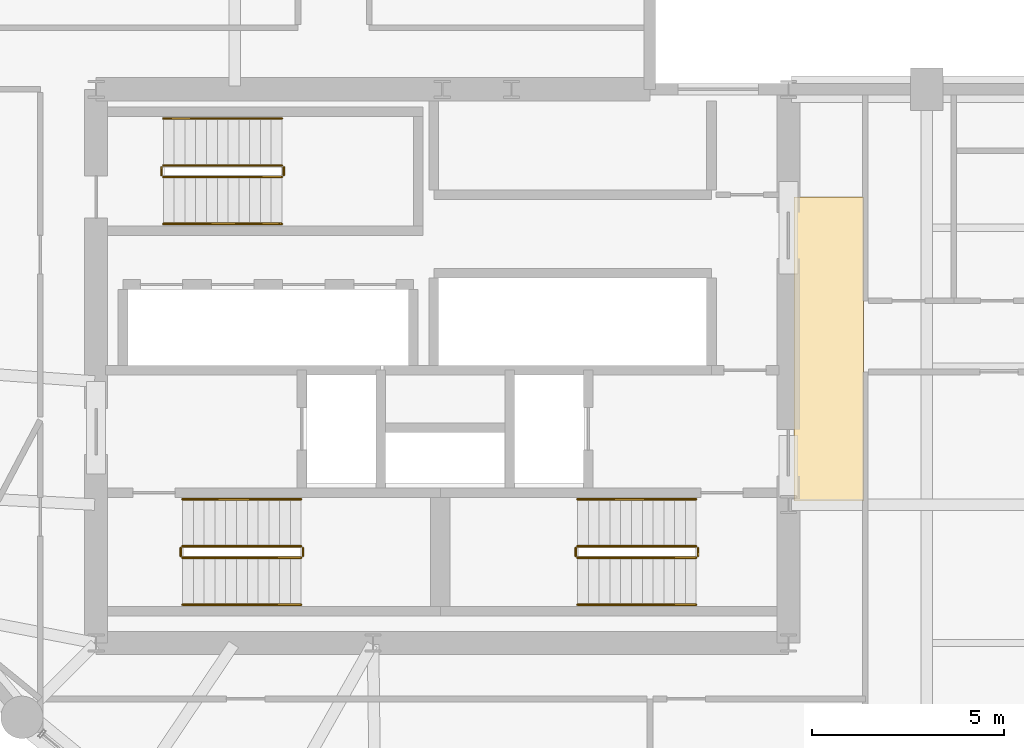
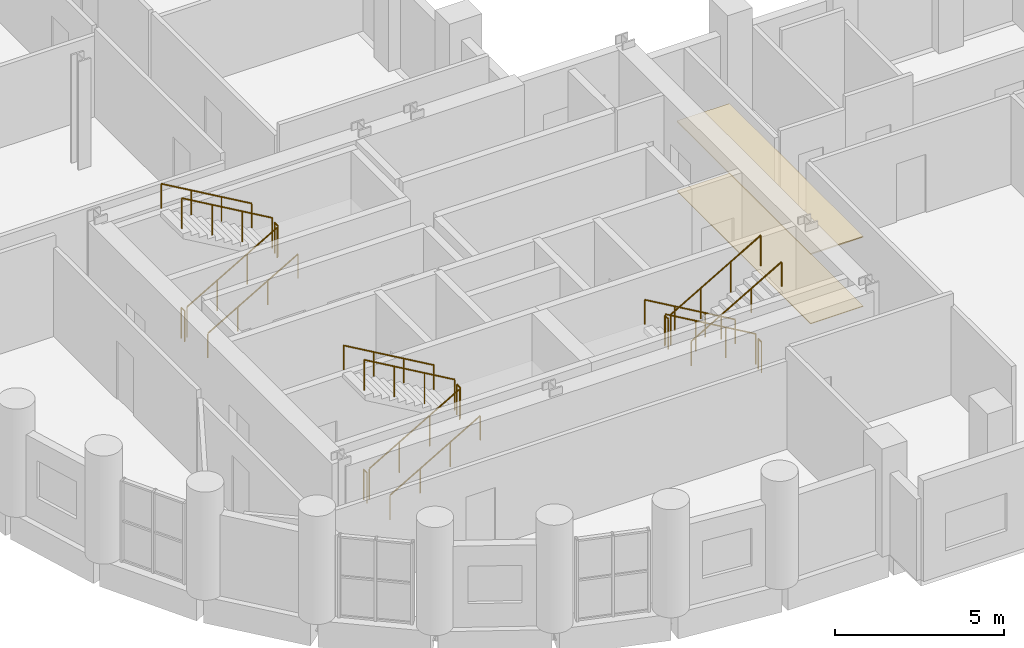
# One storey, part 10 of 11: 18 railings, 2 coverings.
"""IFC4 building model written with IfcOpenShell, lengths in metres."""

import ifcopenshell
import ifcopenshell.guid

model = None  # the IFC model being written
_history = None  # IfcOwnerHistory: only IFC2X3 demands one
_inside = {}  # id of a spatial element -> (the spatial element, [elements in it])
_under = {}  # id of a project, library or spatial element -> (it, [spatial elements below it])
_declared = {}  # id of a project -> (the project, [libraries it declares])
_typed = {}  # id of a type object -> (the type object, [elements of that type])
_made_of = {}  # id of a material, layer set ... -> (it, [elements and type objects made of it])


def new_model(schema):
    """Start an empty IFC model of exactly this schema.

    Asked for "IFC4X3", IfcOpenShell would pick the latest addendum, in which some entities
    have other attributes; the version numbers below select the first issue.
    IFC2X3 requires an IfcOwnerHistory on every rooted entity: one is made here for all.
    """
    global model, _history
    if schema == "IFC4X3":
        model = ifcopenshell.file(schema_version=(4, 3, 0, 0))
    else:
        model = ifcopenshell.file(schema=schema)
    _inside.clear()
    _under.clear()
    _declared.clear()
    _typed.clear()
    _made_of.clear()
    _history = None
    if model.schema == "IFC2X3":
        org = make("IfcOrganization", Name="unknown")
        user = make(
            "IfcPersonAndOrganization",
            ThePerson=make("IfcPerson", FamilyName="unknown"),
            TheOrganization=org,
        )
        app = make(
            "IfcApplication",
            ApplicationDeveloper=org,
            Version="unknown",
            ApplicationFullName="unknown",
            ApplicationIdentifier="unknown",
        )
        _history = make(
            "IfcOwnerHistory",
            OwningUser=user,
            OwningApplication=app,
            ChangeAction="ADDED",
            CreationDate=0,
        )
    return model


def make(cls, **values):
    """One entity of the class cls with the attributes given. An attribute that is None is left unset."""
    return model.create_entity(
        cls, **{name: value for name, value in values.items() if value is not None}
    )


def rooted(cls, **values):
    """An entity with a GlobalId (a new one), such as an element, a storey or a relation."""
    return make(cls, GlobalId=ifcopenshell.guid.new(), OwnerHistory=_history, **values)


def si_unit(unit_type, name, prefix=None):
    """IfcSIUnit, for example si_unit("LENGTHUNIT", "METRE", prefix="MILLI")."""
    return make("IfcSIUnit", UnitType=unit_type, Prefix=prefix, Name=name)


def assignment(units):
    """IfcUnitAssignment: the units of a project."""
    return None if units is None else make("IfcUnitAssignment", Units=units)


def point(xyz):
    """IfcCartesianPoint."""
    return None if xyz is None else make("IfcCartesianPoint", Coordinates=xyz)


def direction(xyz):
    """IfcDirection."""
    return None if xyz is None else make("IfcDirection", DirectionRatios=xyz)


def frame(location, z_axis=None, x_axis=None):
    """IfcAxis2Placement3D, a coordinate frame: its origin and axes. An axis left out is left unset."""
    return make(
        "IfcAxis2Placement3D",
        Location=point(location),
        Axis=direction(z_axis),
        RefDirection=direction(x_axis),
    )


def frame_2d(location, x_axis=None):
    """IfcAxis2Placement2D, a coordinate frame in the plane: its origin and x axis."""
    return make(
        "IfcAxis2Placement2D", Location=point(location), RefDirection=direction(x_axis)
    )


def origin():
    """The frame at (0, 0, 0) with its axes left unset."""
    return frame((0.0, 0.0, 0.0))


def origin_2d():
    """The frame at (0, 0) in the plane with its x axis left unset."""
    return frame_2d((0.0, 0.0))


def place(relative_to, where):
    """IfcLocalPlacement: puts the frame where relative to a parent placement (None: the world)."""
    return make(
        "IfcLocalPlacement", PlacementRelTo=relative_to, RelativePlacement=where
    )


def context(
    kind, dimensions, precision=None, world=None, true_north=None, identifier=None
):
    """IfcGeometricRepresentationContext, for example the 3D "Model" context."""
    return make(
        "IfcGeometricRepresentationContext",
        ContextIdentifier=identifier,
        ContextType=kind,
        CoordinateSpaceDimension=dimensions,
        Precision=precision,
        WorldCoordinateSystem=world,
        TrueNorth=true_north,
    )


def subcontext(parent, identifier, kind, view, scale=None):
    """IfcGeometricRepresentationSubContext, for example "Body" below "Model"."""
    return make(
        "IfcGeometricRepresentationSubContext",
        ContextIdentifier=identifier,
        ContextType=kind,
        ParentContext=parent,
        TargetScale=scale,
        TargetView=view,
    )


def project(units=None, contexts=None):
    """IfcProject with its units and contexts."""
    return rooted(
        "IfcProject",
        Name="project",
        RepresentationContexts=contexts,
        UnitsInContext=assignment(units),
    )


def spatial(cls, under=None, at=None, **own):
    """A site, building, storey or space (cls), placed at a placement, below another one or the project."""
    s = rooted(cls, ObjectPlacement=at, **own)
    if under is not None:
        _under.setdefault(under.id(), (under, []))[1].append(s)
    return s


def polyline(points):
    """IfcPolyline through the points."""
    return make("IfcPolyline", Points=[point(p) for p in points])


def profile(cls, at=None, kind="AREA", **sizes):
    """A parametric profile (cls). Its sizes go by their IFC names, for example OverallWidth=200.0."""
    return make(cls, ProfileType=kind, Position=at, **sizes)


def circle(**sizes):
    """IfcCircleProfileDef."""
    return profile("IfcCircleProfileDef", **sizes)


def outline(outer, holes=None, kind="AREA"):
    """IfcArbitraryClosedProfileDef: a profile drawn as a closed curve; with holes, ...WithVoids."""
    if holes is None:
        return make("IfcArbitraryClosedProfileDef", ProfileType=kind, OuterCurve=outer)
    return make(
        "IfcArbitraryProfileDefWithVoids",
        ProfileType=kind,
        OuterCurve=outer,
        InnerCurves=holes,
    )


def extrude(swept, where, along, depth):
    """IfcExtrudedAreaSolid: the profile swept, set in the frame where, extruded along a direction by depth."""
    return make(
        "IfcExtrudedAreaSolid",
        SweptArea=swept,
        Position=where,
        ExtrudedDirection=direction(along),
        Depth=depth,
    )


def shape(context_of_items, identifier, shape_type, items):
    """IfcShapeRepresentation: the items that make up one representation, for example the "Body"."""
    return make(
        "IfcShapeRepresentation",
        ContextOfItems=context_of_items,
        RepresentationIdentifier=identifier,
        RepresentationType=shape_type,
        Items=items,
    )


def material(Name=None, Category=None):
    """IfcMaterial."""
    return make("IfcMaterial", Name=Name, Category=Category)


def layer(
    of_material, thickness, ventilated=None, Name=None, Category=None, Priority=None
):
    """IfcMaterialLayer: one layer of a wall or slab, of a material (None: an air gap)."""
    return make(
        "IfcMaterialLayer",
        Material=of_material,
        LayerThickness=thickness,
        IsVentilated=ventilated,
        Name=Name,
        Category=Category,
        Priority=Priority,
    )


def layer_set(layers, Name=None):
    """IfcMaterialLayerSet."""
    return make("IfcMaterialLayerSet", MaterialLayers=layers, LayerSetName=Name)


def made_of(thing, what):
    """Note that an element or type object is made of a material, layer set ...; save() writes the relation."""
    if what is not None:
        _made_of.setdefault(what.id(), (what, []))[1].append(thing)
    return thing


def type_object(cls, material=None, **own):
    """A type object (cls), such as IfcWallType, which elements share."""
    return made_of(rooted(cls, **own), material)


def element(
    cls,
    number,
    at=None,
    inside=None,
    cuts=None,
    type_object=None,
    material=None,
    context=None,
    identifier="Body",
    shape_type=None,
    held_by="IfcProductDefinitionShape",
    body=None,
    shapes=None,
    **own,
):
    """One element of the class cls, such as IfcWall. Its Tag is "e" and its number.

    at: its placement. inside: the storey or other place that contains it. cuts: it is an
    opening in that element (IfcRelVoidsElement). A single representation is given by context,
    identifier, shape_type and body (its items); several are given by shapes. held_by: the class
    of the entity that holds the representations. save() writes the other relations.
    """
    e = rooted(cls, Tag="e%d" % number, ObjectPlacement=at, **own)
    if body is not None:
        shapes = [shape(context, identifier, shape_type, body)]
    if shapes is not None:
        e.Representation = make(held_by, Representations=shapes)
    if inside is not None:
        _inside.setdefault(inside.id(), (inside, []))[1].append(e)
    if cuts is not None:
        rooted(
            "IfcRelVoidsElement", RelatingBuildingElement=cuts, RelatedOpeningElement=e
        )
    if type_object is not None:
        _typed.setdefault(type_object.id(), (type_object, []))[1].append(e)
    return made_of(e, material)


def aggregate(whole, parts):
    """IfcRelAggregates: a whole, such as a stair, and the parts it consists of."""
    return rooted("IfcRelAggregates", RelatingObject=whole, RelatedObjects=parts)


def save(model, path):
    """Write the relations noted so far, then the file.

    IfcRelAggregates (storeys below a building ...), IfcRelContainedInSpatialStructure (elements
    in a storey), IfcRelDefinesByType, IfcRelAssociatesMaterial and IfcRelDeclares: one each for
    every whole, place, type object, material and project.
    """
    for whole, parts in _under.values():
        aggregate(whole, parts)
    for where, things in _inside.values():
        rooted(
            "IfcRelContainedInSpatialStructure",
            RelatedElements=things,
            RelatingStructure=where,
        )
    for kind, things in _typed.values():
        rooted("IfcRelDefinesByType", RelatedObjects=things, RelatingType=kind)
    for what, things in _made_of.values():
        rooted("IfcRelAssociatesMaterial", RelatedObjects=things, RelatingMaterial=what)
    for by, libraries in _declared.values():
        rooted("IfcRelDeclares", RelatingContext=by, RelatedDefinitions=libraries)
    model.write(path)


model = new_model("IFC4")

# Units and contexts
model_context = context("Model", 3, precision=1e-05, world=origin(), true_north=direction((0.0, 1.0)))
body_context = subcontext(model_context, "Body", "Model", "MODEL_VIEW")
ifc_project = project(units=[si_unit("LENGTHUNIT", "METRE"), si_unit("AREAUNIT", "SQUARE_METRE"), si_unit("VOLUMEUNIT", "CUBIC_METRE"), si_unit("PLANEANGLEUNIT", "RADIAN"), si_unit("MASSUNIT", "GRAM", prefix="KILO")], contexts=[model_context])

# Site, building, storey
site_placement = place(None, origin())
site = spatial("IfcSite", under=ifc_project, at=site_placement, CompositionType="ELEMENT")
building_placement = place(site_placement, origin())
building = spatial("IfcBuilding", under=site, at=building_placement, Name="Solnavia Interchange Tower", CompositionType="ELEMENT")
storey_placement = place(building_placement, frame((0.0, 0.0, 99.60009765625)))
storey = spatial("IfcBuildingStorey", under=building, at=storey_placement, Name="L24", CompositionType="ELEMENT", Elevation=99.60009765625)

# Coverings
ifc_material_1 = material(Name="Perforated Mineral-Fibre & Gypsum Ceiling", Category="gypsum")
ifc_layer_1 = layer(ifc_material_1, 0.0400390625)
ifc_layer_set_1 = layer_set([ifc_layer_1], Name="Perforated Mineral-Fibre & Gypsum Ceiling")
covering_type_1 = type_object("IfcCoveringType", Name="Covering-Ceiling-Acoustic40", PredefinedType="CEILING", material=ifc_layer_set_1)
covering_1_placement = place(storey_placement, frame((0.0, 0.0, 2.5)))
element("IfcCovering", 1, at=covering_1_placement, inside=storey, type_object=covering_type_1, Name="CLG-L24-01 Circulation suspended acoustic ceiling", PredefinedType="CEILING", context=body_context, shape_type="SweptSolid", body=[
    extrude(outline(polyline([(32.550048828125, 14.5), (34.35009765625, 14.5), (34.35009765625, 22.39990234375), (32.550048828125, 22.39990234375), (32.550048828125, 14.5)])), origin(), (0.0, 0.0, 1.0), 0.039794921875),
])
ifc_material_2 = material(Name="Polished Alicante Stone Terrazzo", Category="masonry")
ifc_layer_2 = layer(ifc_material_2, 0.02490234375)
ifc_layer_set_2 = layer_set([ifc_layer_2], Name="Polished Alicante Stone Terrazzo")
covering_type_2 = type_object("IfcCoveringType", Name="Covering-Flooring-Terrazzo25", PredefinedType="FLOORING", material=ifc_layer_set_2)
covering_2_placement = place(storey_placement, origin())
element("IfcCovering", 2, at=covering_2_placement, inside=storey, type_object=covering_type_2, Name="FLR-L24-01 Circulation floor finish", PredefinedType="FLOORING", context=body_context, shape_type="SweptSolid", body=[
    extrude(outline(polyline([(32.550048828125, 14.5), (34.35009765625, 14.5), (34.35009765625, 22.39990234375), (32.550048828125, 22.39990234375), (32.550048828125, 14.5)])), origin(), (0.0, 0.0, 1.0), 0.02490234375),
])

# Railings
ifc_material_3 = material(Name="Painted Steel Balustrade", Category="steel")
railing_type_1 = type_object("IfcRailingType", Name="Railing-StairGuard-1100", PredefinedType="GUARDRAIL", material=ifc_material_3)
railing_1_placement = place(storey_placement, frame((16.64990234375, 13.02001953125, 0.162353515625)))
element("IfcRailing", 3, at=railing_1_placement, inside=storey, type_object=railing_type_1, Name="L24 ST-1 stair guard 1", PredefinedType="GUARDRAIL", context=body_context, shape_type="SweptSolid", body=[
    extrude(circle(Radius=0.02392578125, at=origin_2d()), frame((0.0, 0.0, 1.09619140625), z_axis=(0.864890721111, 0.0, 0.501960198159), x_axis=(0.0, 1.0, 0.0)), (0.0, 0.0, 1.0), 3.561279296875),
    extrude(circle(Radius=0.02099609375, at=origin_2d()), origin(), (0.0, 0.0, 1.0), 1.072021484375),
    extrude(circle(Radius=0.02099609375, at=origin_2d()), frame((1.026611328125, 0.0, 0.595947265625)), (0.0, 0.0, 1.0), 1.072021484375),
    extrude(circle(Radius=0.02099609375, at=origin_2d()), frame((2.053466796875, 0.0, 1.191650390625)), (0.0, 0.0, 1.0), 1.072021484375),
    extrude(circle(Radius=0.02099609375, at=origin_2d()), frame((3.080078125, 0.0, 1.78759765625)), (0.0, 0.0, 1.0), 1.072021484375),
])
railing_2_placement = place(storey_placement, frame((19.780029296875, 13.070068359375, 1.949951171875)))
element("IfcRailing", 4, at=railing_2_placement, inside=storey, type_object=railing_type_1, Name="L24 ST-1 stair guard 2", PredefinedType="GUARDRAIL", context=body_context, shape_type="SweptSolid", body=[
    extrude(circle(Radius=0.02392578125, at=origin_2d()), frame((0.0, 0.0, 1.09619140625), z_axis=(0.0, 1.0, 0.0), x_axis=(-1.0, 0.0, 0.0)), (0.0, 0.0, 1.0), 0.199951171875),
    extrude(circle(Radius=0.02099609375, at=origin_2d()), origin(), (0.0, 0.0, 1.0), 1.072021484375),
    extrude(circle(Radius=0.02099609375, at=origin_2d()), frame((0.0, 0.199951171875, 0.0)), (0.0, 0.0, 1.0), 1.072021484375),
])
railing_3_placement = place(storey_placement, frame((19.72998046875, 13.320068359375, 2.1123046875)))
element("IfcRailing", 5, at=railing_3_placement, inside=storey, type_object=railing_type_1, Name="L24 ST-1 stair guard 3", PredefinedType="GUARDRAIL", context=body_context, shape_type="SweptSolid", body=[
    extrude(circle(Radius=0.02392578125, at=origin_2d()), frame((0.0, 0.0, 1.09619140625), z_axis=(-0.864890721111, 0.0, 0.501960198159), x_axis=(0.0, -1.0, 0.0)), (0.0, 0.0, 1.0), 3.561279296875),
    extrude(circle(Radius=0.02099609375, at=origin_2d()), origin(), (0.0, 0.0, 1.0), 1.072021484375),
    extrude(circle(Radius=0.02099609375, at=origin_2d()), frame((-1.026611328125, 0.0, 0.595947265625)), (0.0, 0.0, 1.0), 1.072021484375),
    extrude(circle(Radius=0.02099609375, at=origin_2d()), frame((-2.053466796875, 0.0, 1.191650390625)), (0.0, 0.0, 1.0), 1.072021484375),
    extrude(circle(Radius=0.02099609375, at=origin_2d()), frame((-3.080078125, 0.0, 1.78759765625)), (0.0, 0.0, 1.0), 1.072021484375),
])
railing_4_placement = place(storey_placement, frame((16.60009765625, 13.070068359375, 0.0)))
element("IfcRailing", 6, at=railing_4_placement, inside=storey, type_object=railing_type_1, Name="L24 ST-1 stair guard 4", PredefinedType="GUARDRAIL", context=body_context, shape_type="SweptSolid", body=[
    extrude(circle(Radius=0.02392578125, at=origin_2d()), frame((0.0, 0.0, 1.09619140625), z_axis=(0.0, 1.0, 0.0), x_axis=(-1.0, 0.0, 0.0)), (0.0, 0.0, 1.0), 0.199951171875),
    extrude(circle(Radius=0.02099609375, at=origin_2d()), origin(), (0.0, 0.0, 1.0), 1.072021484375),
    extrude(circle(Radius=0.02099609375, at=origin_2d()), frame((0.0, 0.199951171875, 0.0)), (0.0, 0.0, 1.0), 1.072021484375),
])
railing_5_placement = place(storey_placement, frame((30.0, 13.320068359375, 0.162353515625)))
element("IfcRailing", 7, at=railing_5_placement, inside=storey, type_object=railing_type_1, Name="L24 ST-2 stair guard 1", PredefinedType="GUARDRAIL", context=body_context, shape_type="SweptSolid", body=[
    extrude(circle(Radius=0.02392578125, at=origin_2d()), frame((0.0, 0.0, 1.09619140625), z_axis=(-0.864890721111, 0.0, 0.501960198159), x_axis=(0.0, -1.0, 0.0)), (0.0, 0.0, 1.0), 3.561279296875),
    extrude(circle(Radius=0.02099609375, at=origin_2d()), origin(), (0.0, 0.0, 1.0), 1.072021484375),
    extrude(circle(Radius=0.02099609375, at=origin_2d()), frame((-1.026611328125, 0.0, 0.595947265625)), (0.0, 0.0, 1.0), 1.072021484375),
    extrude(circle(Radius=0.02099609375, at=origin_2d()), frame((-2.053466796875, 0.0, 1.191650390625)), (0.0, 0.0, 1.0), 1.072021484375),
    extrude(circle(Radius=0.02099609375, at=origin_2d()), frame((-3.080078125, 0.0, 1.78759765625)), (0.0, 0.0, 1.0), 1.072021484375),
])
railing_6_placement = place(storey_placement, frame((26.8701171875, 13.27001953125, 1.949951171875)))
element("IfcRailing", 8, at=railing_6_placement, inside=storey, type_object=railing_type_1, Name="L24 ST-2 stair guard 2", PredefinedType="GUARDRAIL", context=body_context, shape_type="SweptSolid", body=[
    extrude(circle(Radius=0.02392578125, at=origin_2d()), frame((0.0, 0.0, 1.09619140625), z_axis=(0.0, -1.0, 0.0), x_axis=(1.0, 0.0, 0.0)), (0.0, 0.0, 1.0), 0.199951171875),
    extrude(circle(Radius=0.02099609375, at=origin_2d()), origin(), (0.0, 0.0, 1.0), 1.072021484375),
    extrude(circle(Radius=0.02099609375, at=origin_2d()), frame((0.0, -0.199951171875, 0.0)), (0.0, 0.0, 1.0), 1.072021484375),
])
railing_7_placement = place(storey_placement, frame((26.919921875, 13.02001953125, 2.1123046875)))
element("IfcRailing", 9, at=railing_7_placement, inside=storey, type_object=railing_type_1, Name="L24 ST-2 stair guard 3", PredefinedType="GUARDRAIL", context=body_context, shape_type="SweptSolid", body=[
    extrude(circle(Radius=0.02392578125, at=origin_2d()), frame((0.0, 0.0, 1.09619140625), z_axis=(0.864890721111, 0.0, 0.501960198159), x_axis=(0.0, 1.0, 0.0)), (0.0, 0.0, 1.0), 3.561279296875),
    extrude(circle(Radius=0.02099609375, at=origin_2d()), origin(), (0.0, 0.0, 1.0), 1.072021484375),
    extrude(circle(Radius=0.02099609375, at=origin_2d()), frame((1.026611328125, 0.0, 0.595947265625)), (0.0, 0.0, 1.0), 1.072021484375),
    extrude(circle(Radius=0.02099609375, at=origin_2d()), frame((2.053466796875, 0.0, 1.191650390625)), (0.0, 0.0, 1.0), 1.072021484375),
    extrude(circle(Radius=0.02099609375, at=origin_2d()), frame((3.080078125, 0.0, 1.78759765625)), (0.0, 0.0, 1.0), 1.072021484375),
])
railing_8_placement = place(storey_placement, frame((30.050048828125, 13.27001953125, 0.0)))
element("IfcRailing", 10, at=railing_8_placement, inside=storey, type_object=railing_type_1, Name="L24 ST-2 stair guard 4", PredefinedType="GUARDRAIL", context=body_context, shape_type="SweptSolid", body=[
    extrude(circle(Radius=0.02392578125, at=origin_2d()), frame((0.0, 0.0, 1.09619140625), z_axis=(0.0, -1.0, 0.0), x_axis=(1.0, 0.0, 0.0)), (0.0, 0.0, 1.0), 0.199951171875),
    extrude(circle(Radius=0.02099609375, at=origin_2d()), origin(), (0.0, 0.0, 1.0), 1.072021484375),
    extrude(circle(Radius=0.02099609375, at=origin_2d()), frame((0.0, -0.199951171875, 0.0)), (0.0, 0.0, 1.0), 1.072021484375),
])
railing_9_placement = place(storey_placement, frame((16.14990234375, 22.919921875, 0.162353515625)))
element("IfcRailing", 11, at=railing_9_placement, inside=storey, type_object=railing_type_1, Name="L24 ST-3 stair guard 1", PredefinedType="GUARDRAIL", context=body_context, shape_type="SweptSolid", body=[
    extrude(circle(Radius=0.02392578125, at=origin_2d()), frame((0.0, 0.0, 1.09619140625), z_axis=(0.864890721111, 0.0, 0.501960198159), x_axis=(0.0, 1.0, 0.0)), (0.0, 0.0, 1.0), 3.561279296875),
    extrude(circle(Radius=0.02099609375, at=origin_2d()), origin(), (0.0, 0.0, 1.0), 1.072021484375),
    extrude(circle(Radius=0.02099609375, at=origin_2d()), frame((1.026611328125, 0.0, 0.595947265625)), (0.0, 0.0, 1.0), 1.072021484375),
    extrude(circle(Radius=0.02099609375, at=origin_2d()), frame((2.053466796875, 0.0, 1.191650390625)), (0.0, 0.0, 1.0), 1.072021484375),
    extrude(circle(Radius=0.02099609375, at=origin_2d()), frame((3.080078125, 0.0, 1.78759765625)), (0.0, 0.0, 1.0), 1.072021484375),
])
railing_10_placement = place(storey_placement, frame((19.280029296875, 22.969970703125, 1.949951171875)))
element("IfcRailing", 12, at=railing_10_placement, inside=storey, type_object=railing_type_1, Name="L24 ST-3 stair guard 2", PredefinedType="GUARDRAIL", context=body_context, shape_type="SweptSolid", body=[
    extrude(circle(Radius=0.02392578125, at=origin_2d()), frame((0.0, 0.0, 1.09619140625), z_axis=(0.0, 1.0, 0.0), x_axis=(-1.0, 0.0, 0.0)), (0.0, 0.0, 1.0), 0.199951171875),
    extrude(circle(Radius=0.02099609375, at=origin_2d()), origin(), (0.0, 0.0, 1.0), 1.072021484375),
    extrude(circle(Radius=0.02099609375, at=origin_2d()), frame((0.0, 0.199951171875, 0.0)), (0.0, 0.0, 1.0), 1.072021484375),
])
railing_11_placement = place(storey_placement, frame((19.22998046875, 23.219970703125, 2.1123046875)))
element("IfcRailing", 13, at=railing_11_placement, inside=storey, type_object=railing_type_1, Name="L24 ST-3 stair guard 3", PredefinedType="GUARDRAIL", context=body_context, shape_type="SweptSolid", body=[
    extrude(circle(Radius=0.02392578125, at=origin_2d()), frame((0.0, 0.0, 1.09619140625), z_axis=(-0.864890721111, 0.0, 0.501960198159), x_axis=(0.0, -1.0, 0.0)), (0.0, 0.0, 1.0), 3.561279296875),
    extrude(circle(Radius=0.02099609375, at=origin_2d()), origin(), (0.0, 0.0, 1.0), 1.072021484375),
    extrude(circle(Radius=0.02099609375, at=origin_2d()), frame((-1.026611328125, 0.0, 0.595947265625)), (0.0, 0.0, 1.0), 1.072021484375),
    extrude(circle(Radius=0.02099609375, at=origin_2d()), frame((-2.053466796875, 0.0, 1.191650390625)), (0.0, 0.0, 1.0), 1.072021484375),
    extrude(circle(Radius=0.02099609375, at=origin_2d()), frame((-3.080078125, 0.0, 1.78759765625)), (0.0, 0.0, 1.0), 1.072021484375),
])
railing_12_placement = place(storey_placement, frame((16.10009765625, 22.969970703125, 0.0)))
element("IfcRailing", 14, at=railing_12_placement, inside=storey, type_object=railing_type_1, Name="L24 ST-3 stair guard 4", PredefinedType="GUARDRAIL", context=body_context, shape_type="SweptSolid", body=[
    extrude(circle(Radius=0.02392578125, at=origin_2d()), frame((0.0, 0.0, 1.09619140625), z_axis=(0.0, 1.0, 0.0), x_axis=(-1.0, 0.0, 0.0)), (0.0, 0.0, 1.0), 0.199951171875),
    extrude(circle(Radius=0.02099609375, at=origin_2d()), origin(), (0.0, 0.0, 1.0), 1.072021484375),
    extrude(circle(Radius=0.02099609375, at=origin_2d()), frame((0.0, 0.199951171875, 0.0)), (0.0, 0.0, 1.0), 1.072021484375),
])
ifc_material_4 = material(Name="Brushed Stainless Steel", Category="steel")
railing_type_2 = type_object("IfcRailingType", Name="Railing-StairHandrail-900", PredefinedType="HANDRAIL", material=ifc_material_4)
railing_13_placement = place(storey_placement, frame((16.64990234375, 11.800048828125, 0.162353515625)))
element("IfcRailing", 15, at=railing_13_placement, inside=storey, type_object=railing_type_2, Name="L24 ST-1 stair handrail 1", PredefinedType="HANDRAIL", context=body_context, shape_type="SweptSolid", body=[
    extrude(circle(Radius=0.02392578125, at=origin_2d()), frame((0.0, 0.0, 0.8759765625), z_axis=(0.864890721111, 0.0, 0.501960198159), x_axis=(0.0, 1.0, 0.0)), (0.0, 0.0, 1.0), 3.561279296875),
    extrude(circle(Radius=0.02099609375, at=origin_2d()), origin(), (0.0, 0.0, 1.0), 0.851806640625),
    extrude(circle(Radius=0.02099609375, at=origin_2d()), frame((1.026611328125, 0.0, 0.595947265625)), (0.0, 0.0, 1.0), 0.851806640625),
    extrude(circle(Radius=0.02099609375, at=origin_2d()), frame((2.053466796875, 0.0, 1.191650390625)), (0.0, 0.0, 1.0), 0.851806640625),
    extrude(circle(Radius=0.02099609375, at=origin_2d()), frame((3.080078125, 0.0, 1.78759765625)), (0.0, 0.0, 1.0), 0.851806640625),
])
for number, where, name in (
    (16, (19.72998046875, 14.5400390625, 2.1123046875), "L24 ST-1 stair handrail 2"),
    (17, (30.0, 14.5400390625, 0.162353515625), "L24 ST-2 stair handrail 1"),
):
    element("IfcRailing", number, at=place(storey_placement, frame(where)), inside=storey, type_object=railing_type_2, Name=name, PredefinedType="HANDRAIL", context=body_context, shape_type="SweptSolid", body=[
        extrude(circle(Radius=0.02392578125, at=origin_2d()), frame((0.0, 0.0, 0.8759765625), z_axis=(-0.864890721111, 0.0, 0.501960198159), x_axis=(0.0, -1.0, 0.0)), (0.0, 0.0, 1.0), 3.561279296875),
        extrude(circle(Radius=0.02099609375, at=origin_2d()), origin(), (0.0, 0.0, 1.0), 0.851806640625),
        extrude(circle(Radius=0.02099609375, at=origin_2d()), frame((-1.026611328125, 0.0, 0.595947265625)), (0.0, 0.0, 1.0), 0.851806640625),
        extrude(circle(Radius=0.02099609375, at=origin_2d()), frame((-2.053466796875, 0.0, 1.191650390625)), (0.0, 0.0, 1.0), 0.851806640625),
        extrude(circle(Radius=0.02099609375, at=origin_2d()), frame((-3.080078125, 0.0, 1.78759765625)), (0.0, 0.0, 1.0), 0.851806640625),
    ])
for number, where, name in (
    (18, (26.919921875, 11.800048828125, 2.1123046875), "L24 ST-2 stair handrail 2"),
    (19, (16.14990234375, 21.699951171875, 0.162353515625), "L24 ST-3 stair handrail 1"),
):
    element("IfcRailing", number, at=place(storey_placement, frame(where)), inside=storey, type_object=railing_type_2, Name=name, PredefinedType="HANDRAIL", context=body_context, shape_type="SweptSolid", body=[
        extrude(circle(Radius=0.02392578125, at=origin_2d()), frame((0.0, 0.0, 0.8759765625), z_axis=(0.864890721111, 0.0, 0.501960198159), x_axis=(0.0, 1.0, 0.0)), (0.0, 0.0, 1.0), 3.561279296875),
        extrude(circle(Radius=0.02099609375, at=origin_2d()), origin(), (0.0, 0.0, 1.0), 0.851806640625),
        extrude(circle(Radius=0.02099609375, at=origin_2d()), frame((1.026611328125, 0.0, 0.595947265625)), (0.0, 0.0, 1.0), 0.851806640625),
        extrude(circle(Radius=0.02099609375, at=origin_2d()), frame((2.053466796875, 0.0, 1.191650390625)), (0.0, 0.0, 1.0), 0.851806640625),
        extrude(circle(Radius=0.02099609375, at=origin_2d()), frame((3.080078125, 0.0, 1.78759765625)), (0.0, 0.0, 1.0), 0.851806640625),
    ])
railing_14_placement = place(storey_placement, frame((19.22998046875, 24.43994140625, 2.1123046875)))
element("IfcRailing", 20, at=railing_14_placement, inside=storey, type_object=railing_type_2, Name="L24 ST-3 stair handrail 2", PredefinedType="HANDRAIL", context=body_context, shape_type="SweptSolid", body=[
    extrude(circle(Radius=0.02392578125, at=origin_2d()), frame((0.0, 0.0, 0.8759765625), z_axis=(-0.864890721111, 0.0, 0.501960198159), x_axis=(0.0, -1.0, 0.0)), (0.0, 0.0, 1.0), 3.561279296875),
    extrude(circle(Radius=0.02099609375, at=origin_2d()), origin(), (0.0, 0.0, 1.0), 0.851806640625),
    extrude(circle(Radius=0.02099609375, at=origin_2d()), frame((-1.026611328125, 0.0, 0.595947265625)), (0.0, 0.0, 1.0), 0.851806640625),
    extrude(circle(Radius=0.02099609375, at=origin_2d()), frame((-2.053466796875, 0.0, 1.191650390625)), (0.0, 0.0, 1.0), 0.851806640625),
    extrude(circle(Radius=0.02099609375, at=origin_2d()), frame((-3.080078125, 0.0, 1.78759765625)), (0.0, 0.0, 1.0), 0.851806640625),
])

save(model, "model.ifc")
